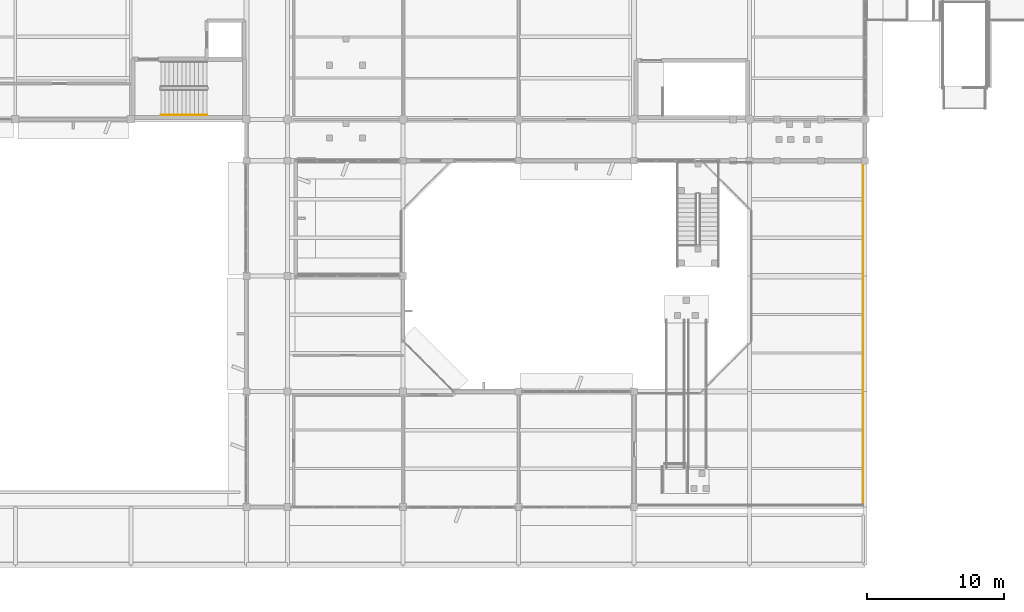
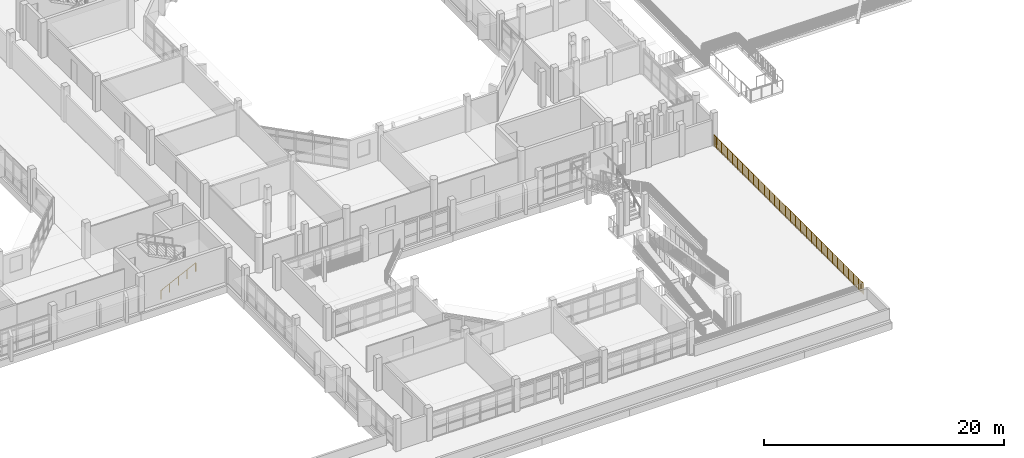
# One storey, part 75 of 92: 2 railings.
"""IFC4 building model written with IfcOpenShell, lengths in metres."""

from ifc_helpers import new_model, si_unit, direction, frame, origin, origin_2d, place, context, subcontext, project, spatial, circle, extrude, material, type_object, element, save


model = new_model("IFC4")

# Units and contexts
model_context = context("Model", 3, precision=1e-05, world=origin(), true_north=direction((0.0, 1.0)))
body_context = subcontext(model_context, "Body", "Model", "MODEL_VIEW")
ifc_project = project(units=[si_unit("LENGTHUNIT", "METRE"), si_unit("AREAUNIT", "SQUARE_METRE"), si_unit("VOLUMEUNIT", "CUBIC_METRE"), si_unit("PLANEANGLEUNIT", "RADIAN"), si_unit("MASSUNIT", "GRAM", prefix="KILO")], contexts=[model_context])

# Site, building, storey
site_placement = place(None, origin())
site = spatial("IfcSite", under=ifc_project, at=site_placement, CompositionType="ELEMENT")
building_placement = place(site_placement, origin())
building = spatial("IfcBuilding", under=site, at=building_placement, Name="Vanh Quang Courtyard School", CompositionType="ELEMENT")
storey_placement = place(building_placement, frame((0.0, 0.0, 7.800048828125)))
storey = spatial("IfcBuildingStorey", under=building, at=storey_placement, Name="L02", CompositionType="ELEMENT", Elevation=7.800048828125)

# Railings
ifc_material_1 = material(Name="Galvanised painted steel EN 10025-2 S355J2", Category="steel")
railing_type_1 = type_object("IfcRailingType", Name="RAIL-GUARD-1150", PredefinedType="BALUSTRADE", material=ifc_material_1)
railing_1_placement = place(storey_placement, frame((119.260009765625, 29.231689453125, 0.0)))
element("IfcRailing", 1, at=railing_1_placement, inside=storey, type_object=railing_type_1, Name="Railing GR-01 (L02)", PredefinedType="BALUSTRADE", context=body_context, shape_type="SweptSolid", body=[
    extrude(circle(Radius=0.02392578125, at=origin_2d()), frame((0.0, 0.0, 1.1259765625), z_axis=(0.0, -1.0, 0.0), x_axis=(1.0, 0.0, 0.0)), (0.0, 0.0, 1.0), 24.8916015625),
    extrude(circle(Radius=0.02099609375, at=origin_2d()), origin(), (0.0, 0.0, 1.0), 1.101806640625),
    extrude(circle(Radius=0.02099609375, at=origin_2d()), frame((0.0, -0.139892578125, 0.0)), (0.0, 0.0, 1.0), 1.101806640625),
    extrude(circle(Radius=0.02099609375, at=origin_2d()), frame((0.0, -0.27978515625, 0.0)), (0.0, 0.0, 1.0), 1.101806640625),
    extrude(circle(Radius=0.02099609375, at=origin_2d()), frame((0.0, -0.41943359375, 0.0)), (0.0, 0.0, 1.0), 1.101806640625),
    extrude(circle(Radius=0.02099609375, at=origin_2d()), frame((0.0, -0.559326171875, 0.0)), (0.0, 0.0, 1.0), 1.101806640625),
    extrude(circle(Radius=0.02099609375, at=origin_2d()), frame((0.0, -0.69921875, 0.0)), (0.0, 0.0, 1.0), 1.101806640625),
    extrude(circle(Radius=0.02099609375, at=origin_2d()), frame((0.0, -0.839111328125, 0.0)), (0.0, 0.0, 1.0), 1.101806640625),
    extrude(circle(Radius=0.02099609375, at=origin_2d()), frame((0.0, -0.97900390625, 0.0)), (0.0, 0.0, 1.0), 1.101806640625),
    extrude(circle(Radius=0.02099609375, at=origin_2d()), frame((0.0, -1.11865234375, 0.0)), (0.0, 0.0, 1.0), 1.101806640625),
    extrude(circle(Radius=0.02099609375, at=origin_2d()), frame((0.0, -1.258544921875, 0.0)), (0.0, 0.0, 1.0), 1.101806640625),
    extrude(circle(Radius=0.02099609375, at=origin_2d()), frame((0.0, -1.3984375, 0.0)), (0.0, 0.0, 1.0), 1.101806640625),
    extrude(circle(Radius=0.02099609375, at=origin_2d()), frame((0.0, -1.538330078125, 0.0)), (0.0, 0.0, 1.0), 1.101806640625),
    extrude(circle(Radius=0.02099609375, at=origin_2d()), frame((0.0, -1.677978515625, 0.0)), (0.0, 0.0, 1.0), 1.101806640625),
    extrude(circle(Radius=0.02099609375, at=origin_2d()), frame((0.0, -1.81787109375, 0.0)), (0.0, 0.0, 1.0), 1.101806640625),
    extrude(circle(Radius=0.02099609375, at=origin_2d()), frame((0.0, -1.957763671875, 0.0)), (0.0, 0.0, 1.0), 1.101806640625),
    extrude(circle(Radius=0.02099609375, at=origin_2d()), frame((0.0, -2.09765625, 0.0)), (0.0, 0.0, 1.0), 1.101806640625),
    extrude(circle(Radius=0.02099609375, at=origin_2d()), frame((0.0, -2.237548828125, 0.0)), (0.0, 0.0, 1.0), 1.101806640625),
    extrude(circle(Radius=0.02099609375, at=origin_2d()), frame((0.0, -2.377197265625, 0.0)), (0.0, 0.0, 1.0), 1.101806640625),
    extrude(circle(Radius=0.02099609375, at=origin_2d()), frame((0.0, -2.51708984375, 0.0)), (0.0, 0.0, 1.0), 1.101806640625),
    extrude(circle(Radius=0.02099609375, at=origin_2d()), frame((0.0, -2.656982421875, 0.0)), (0.0, 0.0, 1.0), 1.101806640625),
    extrude(circle(Radius=0.02099609375, at=origin_2d()), frame((0.0, -2.796875, 0.0)), (0.0, 0.0, 1.0), 1.101806640625),
    extrude(circle(Radius=0.02099609375, at=origin_2d()), frame((0.0, -2.936767578125, 0.0)), (0.0, 0.0, 1.0), 1.101806640625),
    extrude(circle(Radius=0.02099609375, at=origin_2d()), frame((0.0, -3.076416015625, 0.0)), (0.0, 0.0, 1.0), 1.101806640625),
    extrude(circle(Radius=0.02099609375, at=origin_2d()), frame((0.0, -3.21630859375, 0.0)), (0.0, 0.0, 1.0), 1.101806640625),
    extrude(circle(Radius=0.02099609375, at=origin_2d()), frame((0.0, -3.356201171875, 0.0)), (0.0, 0.0, 1.0), 1.101806640625),
    extrude(circle(Radius=0.02099609375, at=origin_2d()), frame((0.0, -3.49609375, 0.0)), (0.0, 0.0, 1.0), 1.101806640625),
    extrude(circle(Radius=0.02099609375, at=origin_2d()), frame((0.0, -3.6357421875, 0.0)), (0.0, 0.0, 1.0), 1.101806640625),
    extrude(circle(Radius=0.02099609375, at=origin_2d()), frame((0.0, -3.775634765625, 0.0)), (0.0, 0.0, 1.0), 1.101806640625),
    extrude(circle(Radius=0.02099609375, at=origin_2d()), frame((0.0, -3.91552734375, 0.0)), (0.0, 0.0, 1.0), 1.101806640625),
    extrude(circle(Radius=0.02099609375, at=origin_2d()), frame((0.0, -4.055419921875, 0.0)), (0.0, 0.0, 1.0), 1.101806640625),
    extrude(circle(Radius=0.02099609375, at=origin_2d()), frame((0.0, -4.1953125, 0.0)), (0.0, 0.0, 1.0), 1.101806640625),
    extrude(circle(Radius=0.02099609375, at=origin_2d()), frame((0.0, -4.3349609375, 0.0)), (0.0, 0.0, 1.0), 1.101806640625),
    extrude(circle(Radius=0.02099609375, at=origin_2d()), frame((0.0, -4.474853515625, 0.0)), (0.0, 0.0, 1.0), 1.101806640625),
    extrude(circle(Radius=0.02099609375, at=origin_2d()), frame((0.0, -4.61474609375, 0.0)), (0.0, 0.0, 1.0), 1.101806640625),
    extrude(circle(Radius=0.02099609375, at=origin_2d()), frame((0.0, -4.754638671875, 0.0)), (0.0, 0.0, 1.0), 1.101806640625),
    extrude(circle(Radius=0.02099609375, at=origin_2d()), frame((0.0, -4.89453125, 0.0)), (0.0, 0.0, 1.0), 1.101806640625),
    extrude(circle(Radius=0.02099609375, at=origin_2d()), frame((0.0, -5.0341796875, 0.0)), (0.0, 0.0, 1.0), 1.101806640625),
    extrude(circle(Radius=0.02099609375, at=origin_2d()), frame((0.0, -5.174072265625, 0.0)), (0.0, 0.0, 1.0), 1.101806640625),
    extrude(circle(Radius=0.02099609375, at=origin_2d()), frame((0.0, -5.31396484375, 0.0)), (0.0, 0.0, 1.0), 1.101806640625),
    extrude(circle(Radius=0.02099609375, at=origin_2d()), frame((0.0, -5.453857421875, 0.0)), (0.0, 0.0, 1.0), 1.101806640625),
    extrude(circle(Radius=0.02099609375, at=origin_2d()), frame((0.0, -5.593505859375, 0.0)), (0.0, 0.0, 1.0), 1.101806640625),
    extrude(circle(Radius=0.02099609375, at=origin_2d()), frame((0.0, -5.7333984375, 0.0)), (0.0, 0.0, 1.0), 1.101806640625),
    extrude(circle(Radius=0.02099609375, at=origin_2d()), frame((0.0, -5.873291015625, 0.0)), (0.0, 0.0, 1.0), 1.101806640625),
    extrude(circle(Radius=0.02099609375, at=origin_2d()), frame((0.0, -6.01318359375, 0.0)), (0.0, 0.0, 1.0), 1.101806640625),
    extrude(circle(Radius=0.02099609375, at=origin_2d()), frame((0.0, -6.153076171875, 0.0)), (0.0, 0.0, 1.0), 1.101806640625),
    extrude(circle(Radius=0.02099609375, at=origin_2d()), frame((0.0, -6.292724609375, 0.0)), (0.0, 0.0, 1.0), 1.101806640625),
    extrude(circle(Radius=0.02099609375, at=origin_2d()), frame((0.0, -6.4326171875, 0.0)), (0.0, 0.0, 1.0), 1.101806640625),
    extrude(circle(Radius=0.02099609375, at=origin_2d()), frame((0.0, -6.572509765625, 0.0)), (0.0, 0.0, 1.0), 1.101806640625),
    extrude(circle(Radius=0.02099609375, at=origin_2d()), frame((0.0, -6.71240234375, 0.0)), (0.0, 0.0, 1.0), 1.101806640625),
    extrude(circle(Radius=0.02099609375, at=origin_2d()), frame((0.0, -6.852294921875, 0.0)), (0.0, 0.0, 1.0), 1.101806640625),
    extrude(circle(Radius=0.02099609375, at=origin_2d()), frame((0.0, -6.991943359375, 0.0)), (0.0, 0.0, 1.0), 1.101806640625),
    extrude(circle(Radius=0.02099609375, at=origin_2d()), frame((0.0, -7.1318359375, 0.0)), (0.0, 0.0, 1.0), 1.101806640625),
    extrude(circle(Radius=0.02099609375, at=origin_2d()), frame((0.0, -7.271728515625, 0.0)), (0.0, 0.0, 1.0), 1.101806640625),
    extrude(circle(Radius=0.02099609375, at=origin_2d()), frame((0.0, -7.41162109375, 0.0)), (0.0, 0.0, 1.0), 1.101806640625),
    extrude(circle(Radius=0.02099609375, at=origin_2d()), frame((0.0, -7.55126953125, 0.0)), (0.0, 0.0, 1.0), 1.101806640625),
    extrude(circle(Radius=0.02099609375, at=origin_2d()), frame((0.0, -7.691162109375, 0.0)), (0.0, 0.0, 1.0), 1.101806640625),
    extrude(circle(Radius=0.02099609375, at=origin_2d()), frame((0.0, -7.8310546875, 0.0)), (0.0, 0.0, 1.0), 1.101806640625),
    extrude(circle(Radius=0.02099609375, at=origin_2d()), frame((0.0, -7.970947265625, 0.0)), (0.0, 0.0, 1.0), 1.101806640625),
    extrude(circle(Radius=0.02099609375, at=origin_2d()), frame((0.0, -8.11083984375, 0.0)), (0.0, 0.0, 1.0), 1.101806640625),
    extrude(circle(Radius=0.02099609375, at=origin_2d()), frame((0.0, -8.25048828125, 0.0)), (0.0, 0.0, 1.0), 1.101806640625),
    extrude(circle(Radius=0.02099609375, at=origin_2d()), frame((0.0, -8.390380859375, 0.0)), (0.0, 0.0, 1.0), 1.101806640625),
    extrude(circle(Radius=0.02099609375, at=origin_2d()), frame((0.0, -8.5302734375, 0.0)), (0.0, 0.0, 1.0), 1.101806640625),
    extrude(circle(Radius=0.02099609375, at=origin_2d()), frame((0.0, -8.670166015625, 0.0)), (0.0, 0.0, 1.0), 1.101806640625),
    extrude(circle(Radius=0.02099609375, at=origin_2d()), frame((0.0, -8.81005859375, 0.0)), (0.0, 0.0, 1.0), 1.101806640625),
    extrude(circle(Radius=0.02099609375, at=origin_2d()), frame((0.0, -8.94970703125, 0.0)), (0.0, 0.0, 1.0), 1.101806640625),
    extrude(circle(Radius=0.02099609375, at=origin_2d()), frame((0.0, -9.089599609375, 0.0)), (0.0, 0.0, 1.0), 1.101806640625),
    extrude(circle(Radius=0.02099609375, at=origin_2d()), frame((0.0, -9.2294921875, 0.0)), (0.0, 0.0, 1.0), 1.101806640625),
    extrude(circle(Radius=0.02099609375, at=origin_2d()), frame((0.0, -9.369384765625, 0.0)), (0.0, 0.0, 1.0), 1.101806640625),
    extrude(circle(Radius=0.02099609375, at=origin_2d()), frame((0.0, -9.509033203125, 0.0)), (0.0, 0.0, 1.0), 1.101806640625),
    extrude(circle(Radius=0.02099609375, at=origin_2d()), frame((0.0, -9.64892578125, 0.0)), (0.0, 0.0, 1.0), 1.101806640625),
    extrude(circle(Radius=0.02099609375, at=origin_2d()), frame((0.0, -9.788818359375, 0.0)), (0.0, 0.0, 1.0), 1.101806640625),
    extrude(circle(Radius=0.02099609375, at=origin_2d()), frame((0.0, -9.9287109375, 0.0)), (0.0, 0.0, 1.0), 1.101806640625),
    extrude(circle(Radius=0.02099609375, at=origin_2d()), frame((0.0, -10.068603515625, 0.0)), (0.0, 0.0, 1.0), 1.101806640625),
    extrude(circle(Radius=0.02099609375, at=origin_2d()), frame((0.0, -10.208251953125, 0.0)), (0.0, 0.0, 1.0), 1.101806640625),
    extrude(circle(Radius=0.02099609375, at=origin_2d()), frame((0.0, -10.34814453125, 0.0)), (0.0, 0.0, 1.0), 1.101806640625),
    extrude(circle(Radius=0.02099609375, at=origin_2d()), frame((0.0, -10.488037109375, 0.0)), (0.0, 0.0, 1.0), 1.101806640625),
    extrude(circle(Radius=0.02099609375, at=origin_2d()), frame((0.0, -10.6279296875, 0.0)), (0.0, 0.0, 1.0), 1.101806640625),
    extrude(circle(Radius=0.02099609375, at=origin_2d()), frame((0.0, -10.767822265625, 0.0)), (0.0, 0.0, 1.0), 1.101806640625),
    extrude(circle(Radius=0.02099609375, at=origin_2d()), frame((0.0, -10.907470703125, 0.0)), (0.0, 0.0, 1.0), 1.101806640625),
    extrude(circle(Radius=0.02099609375, at=origin_2d()), frame((0.0, -11.04736328125, 0.0)), (0.0, 0.0, 1.0), 1.101806640625),
    extrude(circle(Radius=0.02099609375, at=origin_2d()), frame((0.0, -11.187255859375, 0.0)), (0.0, 0.0, 1.0), 1.101806640625),
    extrude(circle(Radius=0.02099609375, at=origin_2d()), frame((0.0, -11.3271484375, 0.0)), (0.0, 0.0, 1.0), 1.101806640625),
    extrude(circle(Radius=0.02099609375, at=origin_2d()), frame((0.0, -11.466796875, 0.0)), (0.0, 0.0, 1.0), 1.101806640625),
    extrude(circle(Radius=0.02099609375, at=origin_2d()), frame((0.0, -11.606689453125, 0.0)), (0.0, 0.0, 1.0), 1.101806640625),
    extrude(circle(Radius=0.02099609375, at=origin_2d()), frame((0.0, -11.74658203125, 0.0)), (0.0, 0.0, 1.0), 1.101806640625),
    extrude(circle(Radius=0.02099609375, at=origin_2d()), frame((0.0, -11.886474609375, 0.0)), (0.0, 0.0, 1.0), 1.101806640625),
    extrude(circle(Radius=0.02099609375, at=origin_2d()), frame((0.0, -12.0263671875, 0.0)), (0.0, 0.0, 1.0), 1.101806640625),
    extrude(circle(Radius=0.02099609375, at=origin_2d()), frame((0.0, -12.166015625, 0.0)), (0.0, 0.0, 1.0), 1.101806640625),
    extrude(circle(Radius=0.02099609375, at=origin_2d()), frame((0.0, -12.305908203125, 0.0)), (0.0, 0.0, 1.0), 1.101806640625),
    extrude(circle(Radius=0.02099609375, at=origin_2d()), frame((0.0, -12.44580078125, 0.0)), (0.0, 0.0, 1.0), 1.101806640625),
    extrude(circle(Radius=0.02099609375, at=origin_2d()), frame((0.0, -12.585693359375, 0.0)), (0.0, 0.0, 1.0), 1.101806640625),
    extrude(circle(Radius=0.02099609375, at=origin_2d()), frame((0.0, -12.7255859375, 0.0)), (0.0, 0.0, 1.0), 1.101806640625),
    extrude(circle(Radius=0.02099609375, at=origin_2d()), frame((0.0, -12.865234375, 0.0)), (0.0, 0.0, 1.0), 1.101806640625),
    extrude(circle(Radius=0.02099609375, at=origin_2d()), frame((0.0, -13.005126953125, 0.0)), (0.0, 0.0, 1.0), 1.101806640625),
    extrude(circle(Radius=0.02099609375, at=origin_2d()), frame((0.0, -13.14501953125, 0.0)), (0.0, 0.0, 1.0), 1.101806640625),
    extrude(circle(Radius=0.02099609375, at=origin_2d()), frame((0.0, -13.284912109375, 0.0)), (0.0, 0.0, 1.0), 1.101806640625),
    extrude(circle(Radius=0.02099609375, at=origin_2d()), frame((0.0, -13.4248046875, 0.0)), (0.0, 0.0, 1.0), 1.101806640625),
    extrude(circle(Radius=0.02099609375, at=origin_2d()), frame((0.0, -13.564453125, 0.0)), (0.0, 0.0, 1.0), 1.101806640625),
    extrude(circle(Radius=0.02099609375, at=origin_2d()), frame((0.0, -13.704345703125, 0.0)), (0.0, 0.0, 1.0), 1.101806640625),
    extrude(circle(Radius=0.02099609375, at=origin_2d()), frame((0.0, -13.84423828125, 0.0)), (0.0, 0.0, 1.0), 1.101806640625),
    extrude(circle(Radius=0.02099609375, at=origin_2d()), frame((0.0, -13.984130859375, 0.0)), (0.0, 0.0, 1.0), 1.101806640625),
    extrude(circle(Radius=0.02099609375, at=origin_2d()), frame((0.0, -14.123779296875, 0.0)), (0.0, 0.0, 1.0), 1.101806640625),
    extrude(circle(Radius=0.02099609375, at=origin_2d()), frame((0.0, -14.263671875, 0.0)), (0.0, 0.0, 1.0), 1.101806640625),
    extrude(circle(Radius=0.02099609375, at=origin_2d()), frame((0.0, -14.403564453125, 0.0)), (0.0, 0.0, 1.0), 1.101806640625),
    extrude(circle(Radius=0.02099609375, at=origin_2d()), frame((0.0, -14.54345703125, 0.0)), (0.0, 0.0, 1.0), 1.101806640625),
    extrude(circle(Radius=0.02099609375, at=origin_2d()), frame((0.0, -14.683349609375, 0.0)), (0.0, 0.0, 1.0), 1.101806640625),
    extrude(circle(Radius=0.02099609375, at=origin_2d()), frame((0.0, -14.822998046875, 0.0)), (0.0, 0.0, 1.0), 1.101806640625),
    extrude(circle(Radius=0.02099609375, at=origin_2d()), frame((0.0, -14.962890625, 0.0)), (0.0, 0.0, 1.0), 1.101806640625),
    extrude(circle(Radius=0.02099609375, at=origin_2d()), frame((0.0, -15.102783203125, 0.0)), (0.0, 0.0, 1.0), 1.101806640625),
    extrude(circle(Radius=0.02099609375, at=origin_2d()), frame((0.0, -15.24267578125, 0.0)), (0.0, 0.0, 1.0), 1.101806640625),
    extrude(circle(Radius=0.02099609375, at=origin_2d()), frame((0.0, -15.382568359375, 0.0)), (0.0, 0.0, 1.0), 1.101806640625),
    extrude(circle(Radius=0.02099609375, at=origin_2d()), frame((0.0, -15.522216796875, 0.0)), (0.0, 0.0, 1.0), 1.101806640625),
    extrude(circle(Radius=0.02099609375, at=origin_2d()), frame((0.0, -15.662109375, 0.0)), (0.0, 0.0, 1.0), 1.101806640625),
    extrude(circle(Radius=0.02099609375, at=origin_2d()), frame((0.0, -15.802001953125, 0.0)), (0.0, 0.0, 1.0), 1.101806640625),
    extrude(circle(Radius=0.02099609375, at=origin_2d()), frame((0.0, -15.94189453125, 0.0)), (0.0, 0.0, 1.0), 1.101806640625),
    extrude(circle(Radius=0.02099609375, at=origin_2d()), frame((0.0, -16.08154296875, 0.0)), (0.0, 0.0, 1.0), 1.101806640625),
    extrude(circle(Radius=0.02099609375, at=origin_2d()), frame((0.0, -16.221435546875, 0.0)), (0.0, 0.0, 1.0), 1.101806640625),
    extrude(circle(Radius=0.02099609375, at=origin_2d()), frame((0.0, -16.361328125, 0.0)), (0.0, 0.0, 1.0), 1.101806640625),
    extrude(circle(Radius=0.02099609375, at=origin_2d()), frame((0.0, -16.501220703125, 0.0)), (0.0, 0.0, 1.0), 1.101806640625),
    extrude(circle(Radius=0.02099609375, at=origin_2d()), frame((0.0, -16.64111328125, 0.0)), (0.0, 0.0, 1.0), 1.101806640625),
    extrude(circle(Radius=0.02099609375, at=origin_2d()), frame((0.0, -16.78076171875, 0.0)), (0.0, 0.0, 1.0), 1.101806640625),
    extrude(circle(Radius=0.02099609375, at=origin_2d()), frame((0.0, -16.920654296875, 0.0)), (0.0, 0.0, 1.0), 1.101806640625),
    extrude(circle(Radius=0.02099609375, at=origin_2d()), frame((0.0, -17.060546875, 0.0)), (0.0, 0.0, 1.0), 1.101806640625),
    extrude(circle(Radius=0.02099609375, at=origin_2d()), frame((0.0, -17.200439453125, 0.0)), (0.0, 0.0, 1.0), 1.101806640625),
    extrude(circle(Radius=0.02099609375, at=origin_2d()), frame((0.0, -17.34033203125, 0.0)), (0.0, 0.0, 1.0), 1.101806640625),
    extrude(circle(Radius=0.02099609375, at=origin_2d()), frame((0.0, -17.47998046875, 0.0)), (0.0, 0.0, 1.0), 1.101806640625),
    extrude(circle(Radius=0.02099609375, at=origin_2d()), frame((0.0, -17.619873046875, 0.0)), (0.0, 0.0, 1.0), 1.101806640625),
    extrude(circle(Radius=0.02099609375, at=origin_2d()), frame((0.0, -17.759765625, 0.0)), (0.0, 0.0, 1.0), 1.101806640625),
    extrude(circle(Radius=0.02099609375, at=origin_2d()), frame((0.0, -17.899658203125, 0.0)), (0.0, 0.0, 1.0), 1.101806640625),
    extrude(circle(Radius=0.02099609375, at=origin_2d()), frame((0.0, -18.039306640625, 0.0)), (0.0, 0.0, 1.0), 1.101806640625),
    extrude(circle(Radius=0.02099609375, at=origin_2d()), frame((0.0, -18.17919921875, 0.0)), (0.0, 0.0, 1.0), 1.101806640625),
    extrude(circle(Radius=0.02099609375, at=origin_2d()), frame((0.0, -18.319091796875, 0.0)), (0.0, 0.0, 1.0), 1.101806640625),
    extrude(circle(Radius=0.02099609375, at=origin_2d()), frame((0.0, -18.458984375, 0.0)), (0.0, 0.0, 1.0), 1.101806640625),
    extrude(circle(Radius=0.02099609375, at=origin_2d()), frame((0.0, -18.598876953125, 0.0)), (0.0, 0.0, 1.0), 1.101806640625),
    extrude(circle(Radius=0.02099609375, at=origin_2d()), frame((0.0, -18.738525390625, 0.0)), (0.0, 0.0, 1.0), 1.101806640625),
    extrude(circle(Radius=0.02099609375, at=origin_2d()), frame((0.0, -18.87841796875, 0.0)), (0.0, 0.0, 1.0), 1.101806640625),
    extrude(circle(Radius=0.02099609375, at=origin_2d()), frame((0.0, -19.018310546875, 0.0)), (0.0, 0.0, 1.0), 1.101806640625),
    extrude(circle(Radius=0.02099609375, at=origin_2d()), frame((0.0, -19.158203125, 0.0)), (0.0, 0.0, 1.0), 1.101806640625),
    extrude(circle(Radius=0.02099609375, at=origin_2d()), frame((0.0, -19.298095703125, 0.0)), (0.0, 0.0, 1.0), 1.101806640625),
    extrude(circle(Radius=0.02099609375, at=origin_2d()), frame((0.0, -19.437744140625, 0.0)), (0.0, 0.0, 1.0), 1.101806640625),
    extrude(circle(Radius=0.02099609375, at=origin_2d()), frame((0.0, -19.57763671875, 0.0)), (0.0, 0.0, 1.0), 1.101806640625),
    extrude(circle(Radius=0.02099609375, at=origin_2d()), frame((0.0, -19.717529296875, 0.0)), (0.0, 0.0, 1.0), 1.101806640625),
    extrude(circle(Radius=0.02099609375, at=origin_2d()), frame((0.0, -19.857421875, 0.0)), (0.0, 0.0, 1.0), 1.101806640625),
    extrude(circle(Radius=0.02099609375, at=origin_2d()), frame((0.0, -19.9970703125, 0.0)), (0.0, 0.0, 1.0), 1.101806640625),
    extrude(circle(Radius=0.02099609375, at=origin_2d()), frame((0.0, -20.136962890625, 0.0)), (0.0, 0.0, 1.0), 1.101806640625),
    extrude(circle(Radius=0.02099609375, at=origin_2d()), frame((0.0, -20.27685546875, 0.0)), (0.0, 0.0, 1.0), 1.101806640625),
    extrude(circle(Radius=0.02099609375, at=origin_2d()), frame((0.0, -20.416748046875, 0.0)), (0.0, 0.0, 1.0), 1.101806640625),
    extrude(circle(Radius=0.02099609375, at=origin_2d()), frame((0.0, -20.556640625, 0.0)), (0.0, 0.0, 1.0), 1.101806640625),
    extrude(circle(Radius=0.02099609375, at=origin_2d()), frame((0.0, -20.6962890625, 0.0)), (0.0, 0.0, 1.0), 1.101806640625),
    extrude(circle(Radius=0.02099609375, at=origin_2d()), frame((0.0, -20.836181640625, 0.0)), (0.0, 0.0, 1.0), 1.101806640625),
    extrude(circle(Radius=0.02099609375, at=origin_2d()), frame((0.0, -20.97607421875, 0.0)), (0.0, 0.0, 1.0), 1.101806640625),
    extrude(circle(Radius=0.02099609375, at=origin_2d()), frame((0.0, -21.115966796875, 0.0)), (0.0, 0.0, 1.0), 1.101806640625),
    extrude(circle(Radius=0.02099609375, at=origin_2d()), frame((0.0, -21.255859375, 0.0)), (0.0, 0.0, 1.0), 1.101806640625),
    extrude(circle(Radius=0.02099609375, at=origin_2d()), frame((0.0, -21.3955078125, 0.0)), (0.0, 0.0, 1.0), 1.101806640625),
    extrude(circle(Radius=0.02099609375, at=origin_2d()), frame((0.0, -21.535400390625, 0.0)), (0.0, 0.0, 1.0), 1.101806640625),
    extrude(circle(Radius=0.02099609375, at=origin_2d()), frame((0.0, -21.67529296875, 0.0)), (0.0, 0.0, 1.0), 1.101806640625),
    extrude(circle(Radius=0.02099609375, at=origin_2d()), frame((0.0, -21.815185546875, 0.0)), (0.0, 0.0, 1.0), 1.101806640625),
    extrude(circle(Radius=0.02099609375, at=origin_2d()), frame((0.0, -21.954833984375, 0.0)), (0.0, 0.0, 1.0), 1.101806640625),
    extrude(circle(Radius=0.02099609375, at=origin_2d()), frame((0.0, -22.0947265625, 0.0)), (0.0, 0.0, 1.0), 1.101806640625),
    extrude(circle(Radius=0.02099609375, at=origin_2d()), frame((0.0, -22.234619140625, 0.0)), (0.0, 0.0, 1.0), 1.101806640625),
    extrude(circle(Radius=0.02099609375, at=origin_2d()), frame((0.0, -22.37451171875, 0.0)), (0.0, 0.0, 1.0), 1.101806640625),
    extrude(circle(Radius=0.02099609375, at=origin_2d()), frame((0.0, -22.514404296875, 0.0)), (0.0, 0.0, 1.0), 1.101806640625),
    extrude(circle(Radius=0.02099609375, at=origin_2d()), frame((0.0, -22.654052734375, 0.0)), (0.0, 0.0, 1.0), 1.101806640625),
    extrude(circle(Radius=0.02099609375, at=origin_2d()), frame((0.0, -22.7939453125, 0.0)), (0.0, 0.0, 1.0), 1.101806640625),
    extrude(circle(Radius=0.02099609375, at=origin_2d()), frame((0.0, -22.933837890625, 0.0)), (0.0, 0.0, 1.0), 1.101806640625),
    extrude(circle(Radius=0.02099609375, at=origin_2d()), frame((0.0, -23.07373046875, 0.0)), (0.0, 0.0, 1.0), 1.101806640625),
    extrude(circle(Radius=0.02099609375, at=origin_2d()), frame((0.0, -23.213623046875, 0.0)), (0.0, 0.0, 1.0), 1.101806640625),
    extrude(circle(Radius=0.02099609375, at=origin_2d()), frame((0.0, -23.353271484375, 0.0)), (0.0, 0.0, 1.0), 1.101806640625),
    extrude(circle(Radius=0.02099609375, at=origin_2d()), frame((0.0, -23.4931640625, 0.0)), (0.0, 0.0, 1.0), 1.101806640625),
    extrude(circle(Radius=0.02099609375, at=origin_2d()), frame((0.0, -23.633056640625, 0.0)), (0.0, 0.0, 1.0), 1.101806640625),
    extrude(circle(Radius=0.02099609375, at=origin_2d()), frame((0.0, -23.77294921875, 0.0)), (0.0, 0.0, 1.0), 1.101806640625),
    extrude(circle(Radius=0.02099609375, at=origin_2d()), frame((0.0, -23.91259765625, 0.0)), (0.0, 0.0, 1.0), 1.101806640625),
    extrude(circle(Radius=0.02099609375, at=origin_2d()), frame((0.0, -24.052490234375, 0.0)), (0.0, 0.0, 1.0), 1.101806640625),
    extrude(circle(Radius=0.02099609375, at=origin_2d()), frame((0.0, -24.1923828125, 0.0)), (0.0, 0.0, 1.0), 1.101806640625),
    extrude(circle(Radius=0.02099609375, at=origin_2d()), frame((0.0, -24.332275390625, 0.0)), (0.0, 0.0, 1.0), 1.101806640625),
    extrude(circle(Radius=0.02099609375, at=origin_2d()), frame((0.0, -24.47216796875, 0.0)), (0.0, 0.0, 1.0), 1.101806640625),
    extrude(circle(Radius=0.02099609375, at=origin_2d()), frame((0.0, -24.61181640625, 0.0)), (0.0, 0.0, 1.0), 1.101806640625),
    extrude(circle(Radius=0.02099609375, at=origin_2d()), frame((0.0, -24.751708984375, 0.0)), (0.0, 0.0, 1.0), 1.101806640625),
    extrude(circle(Radius=0.02099609375, at=origin_2d()), frame((0.0, -24.8916015625, 0.0)), (0.0, 0.0, 1.0), 1.101806640625),
])
ifc_material_2 = material(Name="Brushed stainless steel", Category="steel")
railing_type_2 = type_object("IfcRailingType", Name="RAIL-HAND-900", PredefinedType="HANDRAIL", material=ifc_material_2)
railing_2_placement = place(storey_placement, frame((68.179931640625, 32.72998046875, 0.14990234375)))
element("IfcRailing", 2, at=railing_2_placement, inside=storey, type_object=railing_type_2, Name="L02 ST-04 stair handrail 1", PredefinedType="HANDRAIL", context=body_context, shape_type="SweptSolid", body=[
    extrude(circle(Radius=0.02392578125, at=origin_2d()), frame((0.0, 0.0, 0.8759765625), z_axis=(0.89733343241, 0.0, 0.441353272424), x_axis=(0.0, 1.0, 0.0)), (0.0, 0.0, 1.0), 3.73876953125),
    extrude(circle(Radius=0.02099609375, at=origin_2d()), origin(), (0.0, 0.0, 1.0), 0.851806640625),
    extrude(circle(Radius=0.02099609375, at=origin_2d()), frame((0.8388671875, 0.0, 0.41259765625)), (0.0, 0.0, 1.0), 0.851806640625),
    extrude(circle(Radius=0.02099609375, at=origin_2d()), frame((1.677490234375, 0.0, 0.8251953125)), (0.0, 0.0, 1.0), 0.851806640625),
    extrude(circle(Radius=0.02099609375, at=origin_2d()), frame((2.51611328125, 0.0, 1.237548828125)), (0.0, 0.0, 1.0), 0.851806640625),
    extrude(circle(Radius=0.02099609375, at=origin_2d()), frame((3.35498046875, 0.0, 1.650146484375)), (0.0, 0.0, 1.0), 0.851806640625),
])

save(model, "model.ifc")
